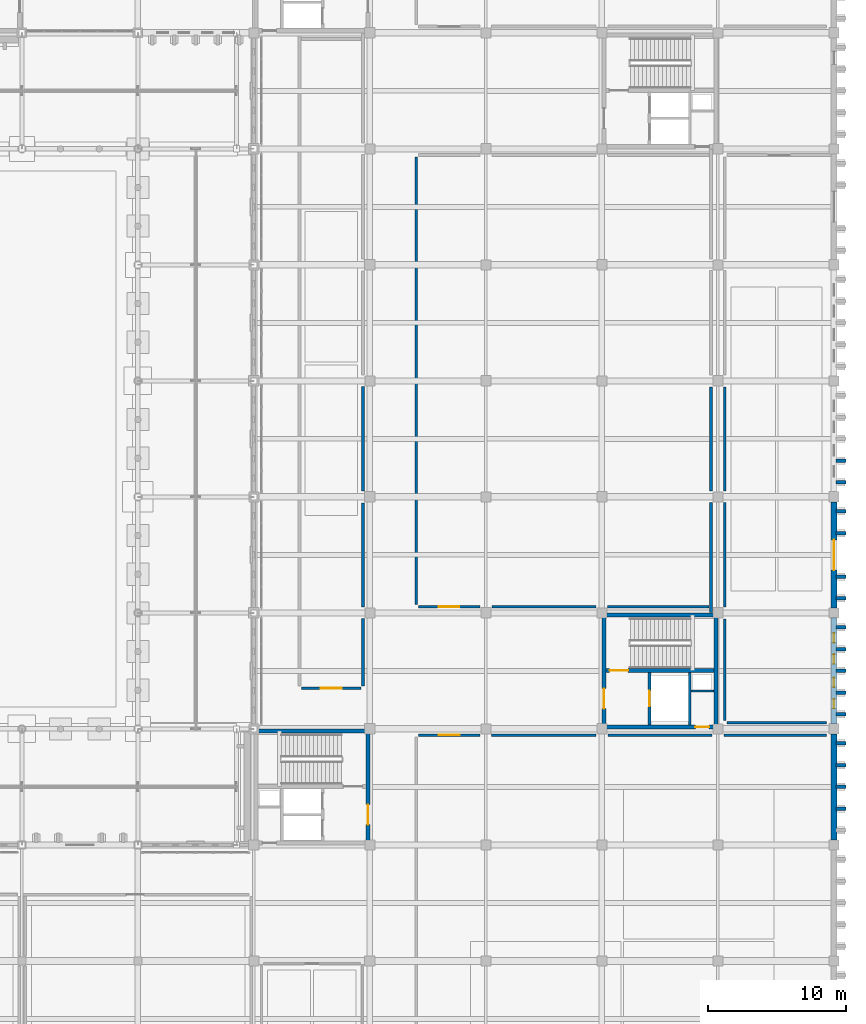
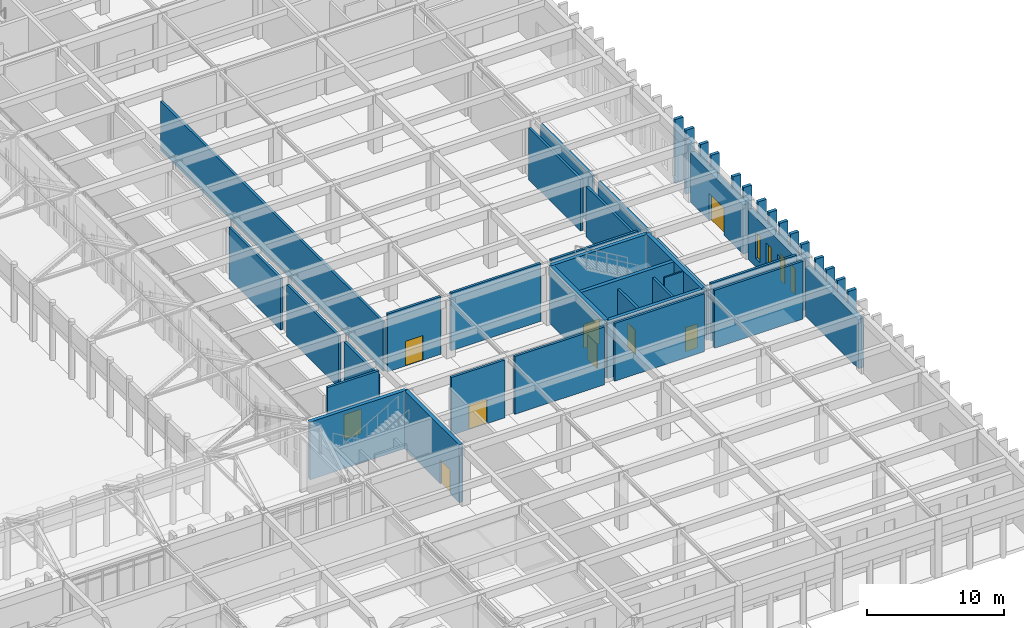
# One storey, part 125 of 143: 46 walls, 9 doors, 4 windows, 13 openings.
"""IFC4 building model written with IfcOpenShell, lengths in metres."""

from ifc_helpers import new_model, si_unit, direction, frame, frame_2d, origin, place, context, subcontext, project, spatial, rectangle, extrude, material, layer, layer_set, type_object, element, fill, save


model = new_model("IFC4")

# Units and contexts
model_context = context("Model", 3, precision=1e-05, world=origin(), true_north=direction((0.0, 1.0)))
body_context = subcontext(model_context, "Body", "Model", "MODEL_VIEW")
ifc_project = project(units=[si_unit("LENGTHUNIT", "METRE"), si_unit("AREAUNIT", "SQUARE_METRE"), si_unit("VOLUMEUNIT", "CUBIC_METRE"), si_unit("PLANEANGLEUNIT", "RADIAN"), si_unit("MASSUNIT", "GRAM", prefix="KILO")], contexts=[model_context])

# Site, building, storey
site_placement = place(None, origin())
site = spatial("IfcSite", under=ifc_project, at=site_placement, CompositionType="ELEMENT")
building_placement = place(site_placement, origin())
building = spatial("IfcBuilding", under=site, at=building_placement, Name="Kveldsbrygga Polytechnic", CompositionType="ELEMENT")
storey_placement = place(building_placement, origin())
storey = spatial("IfcBuildingStorey", under=building, at=storey_placement, Name="L00", CompositionType="ELEMENT", Elevation=0.0)

# Wall
ifc_material_1 = material(Name="Fired clay brick masonry M10", Category="masonry")
ifc_layer_1 = layer(ifc_material_1, 0.419921875)
ifc_layer_set_1 = layer_set([ifc_layer_1], Name="Fired clay brick masonry M10")
wall_type_1 = type_object("IfcWallType", Name="EW-BRICK-420", PredefinedType="SOLIDWALL", material=ifc_layer_set_1)
wall_1_placement = place(storey_placement, frame((168.0, 25.544921875, 0.0), z_axis=(0.0, 0.0, 1.0), x_axis=(0.0, 1.0, 0.0)))
element("IfcWall", 1, at=wall_1_placement, inside=storey, type_object=wall_type_1, Name="Exterior Brick Wall EW-L00-Y-20-03", PredefinedType="SOLIDWALL", context=body_context, shape_type="SweptSolid", body=[
    extrude(rectangle(XDim=7.695068359375, YDim=0.419921875, at=frame_2d((3.84765625, 0.0))), origin(), (0.0, 0.0, 1.0), 4.389892578125),
])

# Wall, openings, windows
wall_2_placement = place(storey_placement, frame((168.0, 33.9599609375, 0.0), z_axis=(0.0, 0.0, 1.0), x_axis=(0.0, 1.0, 0.0)))
wall_2 = element("IfcWall", 2, at=wall_2_placement, inside=storey, type_object=wall_type_1, Name="Exterior Brick Wall EW-L00-Y-20-04", PredefinedType="SOLIDWALL", context=body_context, shape_type="SweptSolid", body=[
    extrude(rectangle(XDim=7.695068359375, YDim=0.419921875, at=frame_2d((3.84765625, 0.0))), origin(), (0.0, 0.0, 1.0), 4.389892578125),
])
opening_1_placement = place(wall_2_placement, frame((1.1220703125, 0.0, 0.75)))
opening_1 = element("IfcOpeningElement", 3, at=opening_1_placement, cuts=wall_2, Name="Opening W-42", PredefinedType="OPENING", context=body_context, shape_type="SweptSolid", body=[
    extrude(rectangle(XDim=0.679931640625, YDim=2.300048828125, at=frame_2d((0.33984375, 1.14990234375))), frame((0.0, 0.219970703125, 0.0), z_axis=(0.0, -1.0, 0.0), x_axis=(1.0, 0.0, 0.0)), (0.0, 0.0, 1.0), 0.43994140625),
])
opening_2_placement = place(wall_2_placement, frame((2.6611328125, 0.0, 0.75)))
opening_2 = element("IfcOpeningElement", 4, at=opening_2_placement, cuts=wall_2, Name="Opening W-42", PredefinedType="OPENING", context=body_context, shape_type="SweptSolid", body=[
    extrude(rectangle(XDim=0.679931640625, YDim=2.300048828125, at=frame_2d((0.33984375, 1.14990234375))), frame((0.0, 0.219970703125, 0.0), z_axis=(0.0, -1.0, 0.0), x_axis=(1.0, 0.0, 0.0)), (0.0, 0.0, 1.0), 0.43994140625),
])
opening_3_placement = place(wall_2_placement, frame((4.35400390625, 0.0, 0.75)))
opening_3 = element("IfcOpeningElement", 5, at=opening_3_placement, cuts=wall_2, Name="Opening W-42", PredefinedType="OPENING", context=body_context, shape_type="SweptSolid", body=[
    extrude(rectangle(XDim=0.679931640625, YDim=2.300048828125, at=frame_2d((0.33984375, 1.14990234375))), frame((0.0, 0.219970703125, 0.0), z_axis=(0.0, -1.0, 0.0), x_axis=(1.0, 0.0, 0.0)), (0.0, 0.0, 1.0), 0.43994140625),
])
opening_4_placement = place(wall_2_placement, frame((5.89306640625, 0.0, 0.75)))
opening_4 = element("IfcOpeningElement", 6, at=opening_4_placement, cuts=wall_2, Name="Opening W-42", PredefinedType="OPENING", context=body_context, shape_type="SweptSolid", body=[
    extrude(rectangle(XDim=0.679931640625, YDim=2.300048828125, at=frame_2d((0.33984375, 1.14990234375))), frame((0.0, 0.219970703125, 0.0), z_axis=(0.0, -1.0, 0.0), x_axis=(1.0, 0.0, 0.0)), (0.0, 0.0, 1.0), 0.43994140625),
])
ifc_material_2 = material(Name="Insulated triple low-E glass", Category="glass")
window_type = type_object("IfcWindowType", Name="WN-LANC-068x230", PartitioningType="DOUBLE_PANEL_VERTICAL", PredefinedType="WINDOW", material=ifc_material_2)
window_1_placement = place(opening_1_placement, origin())
window_1 = element("IfcWindow", 7, at=window_1_placement, inside=storey, type_object=window_type, Name="Gothic Lancet Window WIN-L00-Y-20-04-1", OverallHeight=2.300048828125, OverallWidth=0.679931640625, PartitioningType="DOUBLE_PANEL_VERTICAL", PredefinedType="WINDOW", context=body_context, shape_type="SweptSolid", body=[
    extrude(rectangle(XDim=0.679931640625, YDim=2.300048828125, at=frame_2d((0.33984375, 1.14990234375))), frame((0.0, 0.030029296875, 0.0), z_axis=(0.0, -1.0, 0.0), x_axis=(1.0, 0.0, 0.0)), (0.0, 0.0, 1.0), 0.06005859375),
])
fill(opening_1, window_1)
window_2_placement = place(opening_2_placement, origin())
window_2 = element("IfcWindow", 8, at=window_2_placement, inside=storey, type_object=window_type, Name="Gothic Lancet Window WIN-L00-Y-20-04-2", OverallHeight=2.300048828125, OverallWidth=0.679931640625, PartitioningType="DOUBLE_PANEL_VERTICAL", PredefinedType="WINDOW", context=body_context, shape_type="SweptSolid", body=[
    extrude(rectangle(XDim=0.679931640625, YDim=2.300048828125, at=frame_2d((0.33984375, 1.14990234375))), frame((0.0, 0.030029296875, 0.0), z_axis=(0.0, -1.0, 0.0), x_axis=(1.0, 0.0, 0.0)), (0.0, 0.0, 1.0), 0.06005859375),
])
fill(opening_2, window_2)
window_3_placement = place(opening_3_placement, origin())
window_3 = element("IfcWindow", 9, at=window_3_placement, inside=storey, type_object=window_type, Name="Gothic Lancet Window WIN-L00-Y-20-04-3", OverallHeight=2.300048828125, OverallWidth=0.679931640625, PartitioningType="DOUBLE_PANEL_VERTICAL", PredefinedType="WINDOW", context=body_context, shape_type="SweptSolid", body=[
    extrude(rectangle(XDim=0.679931640625, YDim=2.300048828125, at=frame_2d((0.33984375, 1.14990234375))), frame((0.0, 0.030029296875, 0.0), z_axis=(0.0, -1.0, 0.0), x_axis=(1.0, 0.0, 0.0)), (0.0, 0.0, 1.0), 0.06005859375),
])
fill(opening_3, window_3)
window_4_placement = place(opening_4_placement, origin())
window_4 = element("IfcWindow", 10, at=window_4_placement, inside=storey, type_object=window_type, Name="Gothic Lancet Window WIN-L00-Y-20-04-4", OverallHeight=2.300048828125, OverallWidth=0.679931640625, PartitioningType="DOUBLE_PANEL_VERTICAL", PredefinedType="WINDOW", context=body_context, shape_type="SweptSolid", body=[
    extrude(rectangle(XDim=0.679931640625, YDim=2.300048828125, at=frame_2d((0.33984375, 1.14990234375))), frame((0.0, 0.030029296875, 0.0), z_axis=(0.0, -1.0, 0.0), x_axis=(1.0, 0.0, 0.0)), (0.0, 0.0, 1.0), 0.06005859375),
])
fill(opening_4, window_4)

# Wall, opening, door
wall_3_placement = place(storey_placement, frame((168.0, 42.344970703125, 0.0), z_axis=(0.0, 0.0, 1.0), x_axis=(0.0, 1.0, 0.0)))
wall_3 = element("IfcWall", 11, at=wall_3_placement, inside=storey, type_object=wall_type_1, Name="Exterior Brick Wall EW-L00-Y-20-05", PredefinedType="SOLIDWALL", context=body_context, shape_type="SweptSolid", body=[
    extrude(rectangle(XDim=7.695068359375, YDim=0.419921875, at=frame_2d((3.84765625, 0.0))), origin(), (0.0, 0.0, 1.0), 4.389892578125),
])
opening_5_placement = place(wall_3_placement, frame((2.74755859375, 0.0, 0.0)))
opening_5 = element("IfcOpeningElement", 12, at=opening_5_placement, cuts=wall_3, Name="Opening ED-18", PredefinedType="OPENING", context=body_context, shape_type="SweptSolid", body=[
    extrude(rectangle(XDim=2.199951171875, YDim=2.39990234375, at=frame_2d((1.10009765625, 1.199951171875))), frame((0.0, 0.219970703125, 0.0), z_axis=(0.0, -1.0, 0.0), x_axis=(1.0, 0.0, 0.0)), (0.0, 0.0, 1.0), 0.43994140625),
])
ifc_material_3 = material(Name="Anodised aluminium AW-6060", Category="aluminium")
door_type_1 = type_object("IfcDoorType", Name="ED-MAIN-220x240", OperationType="DOUBLE_DOOR_SINGLE_SWING", PredefinedType="DOOR", material=ifc_material_3)
door_1_placement = place(opening_5_placement, origin())
door_1 = element("IfcDoor", 13, at=door_1_placement, inside=storey, type_object=door_type_1, Name="Pedestrian Exit Door ED-18", OperationType="DOUBLE_DOOR_SINGLE_SWING", OverallHeight=2.39990234375, OverallWidth=2.199951171875, PredefinedType="DOOR", context=body_context, shape_type="SweptSolid", body=[
    extrude(rectangle(XDim=2.199951171875, YDim=2.39990234375, at=frame_2d((1.10009765625, 1.199951171875))), frame((0.0, 0.02490234375, 0.0), z_axis=(0.0, -1.0, 0.0), x_axis=(1.0, 0.0, 0.0)), (0.0, 0.0, 1.0), 0.050048828125),
])
fill(opening_5, door_1)

# Walls
ifc_layer_2 = layer(ifc_material_1, 0.260009765625)
ifc_layer_set_2 = layer_set([ifc_layer_2], Name="Fired clay brick masonry M10")
wall_type_2 = type_object("IfcWallType", Name="EW-BUTT-260", PredefinedType="SOLIDWALL", material=ifc_layer_set_2)
for number, where, z_axis, x_axis, name in (
    (14, (168.1650390625, 27.820068359375, -0.25), (0.0, 0.0, 1.0), (1.0, 0.0, 0.0), "Gothic Brick Buttress Pier BUTT-L00-Y-20-03-2"),
    (15, (168.1650390625, 29.39990234375, -0.25), (0.0, 0.0, 1.0), (1.0, 0.0, 0.0), "Gothic Brick Buttress Pier BUTT-L00-Y-20-03-3"),
    (16, (168.1650390625, 30.97998046875, -0.25), (0.0, 0.0, 1.0), (1.0, 0.0, 0.0), "Gothic Brick Buttress Pier BUTT-L00-Y-20-03-4"),
    (17, (168.1650390625, 32.550048828125, -0.25), (0.0, 0.0, 1.0), (1.0, 0.0, 0.0), "Gothic Brick Buttress Pier BUTT-L00-Y-20-03-5"),
    (18, (168.1650390625, 34.64990234375, -0.25), (0.0, 0.0, 1.0), (1.0, 0.0, 0.0), "Gothic Brick Buttress Pier BUTT-L00-Y-20-04-1"),
    (19, (168.1650390625, 36.219970703125, -0.25), (0.0, 0.0, 1.0), (1.0, 0.0, 0.0), "Gothic Brick Buttress Pier BUTT-L00-Y-20-04-2"),
    (20, (168.1650390625, 37.800048828125, -0.25), (0.0, 0.0, 1.0), (1.0, 0.0, 0.0), "Gothic Brick Buttress Pier BUTT-L00-Y-20-04-3"),
    (21, (168.1650390625, 39.3798828125, -0.25), (0.0, 0.0, 1.0), (1.0, 0.0, 0.0), "Gothic Brick Buttress Pier BUTT-L00-Y-20-04-4"),
    (22, (168.1650390625, 40.949951171875, -0.25), (0.0, 0.0, 1.0), (1.0, 0.0, 0.0), "Gothic Brick Buttress Pier BUTT-L00-Y-20-04-5"),
    (23, (168.1650390625, 43.050048828125, -0.25), (0.0, 0.0, 1.0), (1.0, 0.0, 0.0), "Gothic Brick Buttress Pier BUTT-L00-Y-20-05-1"),
    (24, (168.1650390625, 44.6201171875, -0.25), (0.0, 0.0, 1.0), (1.0, 0.0, 0.0), "Gothic Brick Buttress Pier BUTT-L00-Y-20-05-2"),
    (25, (168.1650390625, 47.780029296875, -0.25), (0.0, 0.0, 1.0), (1.0, 0.0, 0.0), "Gothic Brick Buttress Pier BUTT-L00-Y-20-05-4"),
    (26, (168.1650390625, 49.35009765625, -0.25), (0.0, 0.0, 1.0), (1.0, 0.0, 0.0), "Gothic Brick Buttress Pier BUTT-L00-Y-20-05-5"),
    (27, (168.1650390625, 51.449951171875, -0.25), (0.0, 0.0, 1.0), (1.0, 0.0, 0.0), "Gothic Brick Buttress Pier BUTT-L00-Y-20-06-1"),
    (28, (168.1650390625, 53.02001953125, -0.25), (0.0, 0.0, 1.0), (1.0, 0.0, 0.0), "Gothic Brick Buttress Pier BUTT-L00-Y-20-06-2"),
):
    element("IfcWall", number, at=place(storey_placement, frame(where, z_axis=z_axis, x_axis=x_axis)), inside=storey, type_object=wall_type_2, Name=name, PredefinedType="SOLIDWALL", context=body_context, shape_type="SweptSolid", body=[
        extrude(rectangle(XDim=0.699951171875, YDim=0.260009765625, at=frame_2d((0.35009765625, 0.0))), origin(), (0.0, 0.0, 1.0), 5.68994140625),
    ])

# Wall, opening, door
ifc_layer_3 = layer(ifc_material_1, 0.199951171875)
ifc_layer_set_3 = layer_set([ifc_layer_3], Name="Fired clay brick masonry M10")
wall_type_3 = type_object("IfcWallType", Name="IW-LAB-200", PredefinedType="PARTITIONING", material=ifc_layer_set_3)
wall_4_placement = place(storey_placement, frame((137.89990234375, 33.14990234375, 0.0), z_axis=(0.0, 0.0, 1.0), x_axis=(1.0, 0.0, 0.0)))
wall_4 = element("IfcWall", 29, at=wall_4_placement, inside=storey, type_object=wall_type_3, Name="Partition Wall IW-SP-L00-LAB1-N1", PredefinedType="PARTITIONING", context=body_context, shape_type="SweptSolid", body=[
    extrude(rectangle(XDim=4.47998046875, YDim=0.199951171875, at=frame_2d((2.239990234375, 0.0))), origin(), (0.0, 0.0, 1.0), 5.139892578125),
])
opening_6_placement = place(wall_4_placement, frame((1.489990234375, 0.0, 0.0)))
opening_6 = element("IfcOpeningElement", 30, at=opening_6_placement, cuts=wall_4, Name="Opening ID-L00-034", PredefinedType="OPENING", context=body_context, shape_type="SweptSolid", body=[
    extrude(rectangle(XDim=1.5, YDim=2.199951171875, at=frame_2d((0.75, 1.10009765625))), frame((0.0, 0.10986328125, 0.0), z_axis=(0.0, -1.0, 0.0), x_axis=(1.0, 0.0, 0.0)), (0.0, 0.0, 1.0), 0.219970703125),
])
ifc_material_4 = material(Name="Acoustic oak timber", Category="wood")
door_type_2 = type_object("IfcDoorType", Name="ID-LAB-150x220", OperationType="DOUBLE_DOOR_SINGLE_SWING", PredefinedType="DOOR", material=ifc_material_4)
door_2_placement = place(opening_6_placement, origin())
door_2 = element("IfcDoor", 31, at=door_2_placement, inside=storey, type_object=door_type_2, Name="Interior Door ID-L00-034", OperationType="DOUBLE_DOOR_SINGLE_SWING", OverallHeight=2.199951171875, OverallWidth=1.5, PredefinedType="DOOR", context=body_context, shape_type="SweptSolid", body=[
    extrude(rectangle(XDim=1.5, YDim=2.199951171875, at=frame_2d((0.75, 1.10009765625))), frame((0.0, 0.02490234375, 0.0), z_axis=(0.0, -1.0, 0.0), x_axis=(1.0, 0.0, 0.0)), (0.0, 0.0, 1.0), 0.050048828125),
])
fill(opening_6, door_2)

# Walls
for number, where, z_axis, x_axis, name in (
    (32, (143.219970703125, 33.14990234375, 0.0), (0.0, 0.0, 1.0), (1.0, 0.0, 0.0), "Partition Wall IW-SP-L00-LAB1-N2"),
    (33, (151.635009765625, 33.14990234375, 0.0), (0.0, 0.0, 1.0), (1.0, 0.0, 0.0), "Partition Wall IW-SP-L00-LAB1-N3"),
):
    element("IfcWall", number, at=place(storey_placement, frame(where, z_axis=z_axis, x_axis=x_axis)), inside=storey, type_object=wall_type_3, Name=name, PredefinedType="PARTITIONING", context=body_context, shape_type="SweptSolid", body=[
        extrude(rectangle(XDim=7.544921875, YDim=0.199951171875, at=frame_2d((3.7724609375, 0.0))), origin(), (0.0, 0.0, 1.0), 5.139892578125),
    ])
wall_5_placement = place(storey_placement, frame((160.02001953125, 33.14990234375, 0.0), z_axis=(0.0, 0.0, 1.0), x_axis=(1.0, 0.0, 0.0)))
element("IfcWall", 34, at=wall_5_placement, inside=storey, type_object=wall_type_3, Name="Partition Wall IW-SP-L00-LAB1-N4", PredefinedType="PARTITIONING", context=body_context, shape_type="SweptSolid", body=[
    extrude(rectangle(XDim=7.429931640625, YDim=0.199951171875, at=frame_2d((3.71484375, 0.0))), origin(), (0.0, 0.0, 1.0), 5.139892578125),
])

# Wall, opening, door
wall_6_placement = place(storey_placement, frame((137.89990234375, 42.449951171875, 0.0), z_axis=(0.0, 0.0, 1.0), x_axis=(1.0, 0.0, 0.0)))
wall_6 = element("IfcWall", 35, at=wall_6_placement, inside=storey, type_object=wall_type_3, Name="Partition Wall IW-SP-L00-LAB2A-S1", PredefinedType="PARTITIONING", context=body_context, shape_type="SweptSolid", body=[
    extrude(rectangle(XDim=4.465087890625, YDim=0.199951171875, at=frame_2d((2.232421875, 0.0))), origin(), (0.0, 0.0, 1.0), 5.139892578125),
])
opening_7_placement = place(wall_6_placement, frame((1.482421875, 0.0, 0.0)))
opening_7 = element("IfcOpeningElement", 36, at=opening_7_placement, cuts=wall_6, Name="Opening ID-L00-035", PredefinedType="OPENING", context=body_context, shape_type="SweptSolid", body=[
    extrude(rectangle(XDim=1.5, YDim=2.199951171875, at=frame_2d((0.75, 1.10009765625))), frame((0.0, 0.10986328125, 0.0), z_axis=(0.0, -1.0, 0.0), x_axis=(1.0, 0.0, 0.0)), (0.0, 0.0, 1.0), 0.219970703125),
])
door_3_placement = place(opening_7_placement, origin())
door_3 = element("IfcDoor", 37, at=door_3_placement, inside=storey, type_object=door_type_2, Name="Interior Door ID-L00-035", OperationType="DOUBLE_DOOR_SINGLE_SWING", OverallHeight=2.199951171875, OverallWidth=1.5, PredefinedType="DOOR", context=body_context, shape_type="SweptSolid", body=[
    extrude(rectangle(XDim=1.5, YDim=2.199951171875, at=frame_2d((0.75, 1.10009765625))), frame((0.0, 0.02490234375, 0.0), z_axis=(0.0, -1.0, 0.0), x_axis=(1.0, 0.0, 0.0)), (0.0, 0.0, 1.0), 0.050048828125),
])
fill(opening_7, door_3)

# Walls
wall_7_placement = place(storey_placement, frame((143.235107421875, 42.449951171875, 0.0), z_axis=(0.0, 0.0, 1.0), x_axis=(1.0, 0.0, 0.0)))
element("IfcWall", 38, at=wall_7_placement, inside=storey, type_object=wall_type_3, Name="Partition Wall IW-SP-L00-LAB2A-S2", PredefinedType="PARTITIONING", context=body_context, shape_type="SweptSolid", body=[
    extrude(rectangle(XDim=7.544921875, YDim=0.199951171875, at=frame_2d((3.7724609375, 0.0))), origin(), (0.0, 0.0, 1.0), 5.139892578125),
])
wall_8_placement = place(storey_placement, frame((151.6201171875, 42.449951171875, 0.0), z_axis=(0.0, 0.0, 1.0), x_axis=(1.0, 0.0, 0.0)))
element("IfcWall", 39, at=wall_8_placement, inside=storey, type_object=wall_type_3, Name="Partition Wall IW-SP-L00-LAB2A-S3", PredefinedType="PARTITIONING", context=body_context, shape_type="SweptSolid", body=[
    extrude(rectangle(XDim=7.329833984375, YDim=0.199951171875, at=frame_2d((3.6650390625, 0.0))), origin(), (0.0, 0.0, 1.0), 5.139892578125),
])
wall_9_placement = place(storey_placement, frame((137.75, 42.60009765625, 0.0), z_axis=(0.0, 0.0, 1.0), x_axis=(0.0, 1.0, 0.0)))
element("IfcWall", 40, at=wall_9_placement, inside=storey, type_object=wall_type_3, Name="Partition Wall IW-SP-L00-LAB2A-W1", PredefinedType="PARTITIONING", context=body_context, shape_type="SweptSolid", body=[
    extrude(rectangle(XDim=32.39990234375, YDim=0.199951171875, at=frame_2d((16.199951171875, 0.0))), origin(), (0.0, 0.0, 1.0), 4.360107421875),
])
wall_10_placement = place(storey_placement, frame((159.10009765625, 42.030029296875, 0.0), z_axis=(0.0, 0.0, 1.0), x_axis=(0.0, 1.0, 0.0)))
element("IfcWall", 41, at=wall_10_placement, inside=storey, type_object=wall_type_3, Name="Partition Wall IW-SP-L00-LAB2A-E1", PredefinedType="PARTITIONING", context=body_context, shape_type="SweptSolid", body=[
    extrude(rectangle(XDim=7.949951171875, YDim=0.199951171875, at=frame_2d((3.97509765625, 0.0))), origin(), (0.0, 0.0, 1.0), 4.4599609375),
])
wall_11_placement = place(storey_placement, frame((159.10009765625, 50.820068359375, 0.0), z_axis=(0.0, 0.0, 1.0), x_axis=(0.0, 1.0, 0.0)))
element("IfcWall", 42, at=wall_11_placement, inside=storey, type_object=wall_type_3, Name="Partition Wall IW-SP-L00-LAB2A-E2", PredefinedType="PARTITIONING", context=body_context, shape_type="SweptSolid", body=[
    extrude(rectangle(XDim=7.544921875, YDim=0.199951171875, at=frame_2d((3.7724609375, 0.0))), origin(), (0.0, 0.0, 1.0), 4.590087890625),
])
wall_12_placement = place(storey_placement, frame((160.25, 34.050048828125, 0.0), z_axis=(0.0, 0.0, 1.0), x_axis=(1.0, 0.0, 0.0)))
element("IfcWall", 43, at=wall_12_placement, inside=storey, type_object=wall_type_3, Name="Partition Wall IW-SP-L00-LAB2-S1", PredefinedType="PARTITIONING", context=body_context, shape_type="SweptSolid", body=[
    extrude(rectangle(XDim=7.199951171875, YDim=0.199951171875, at=frame_2d((3.60009765625, 0.0))), origin(), (0.0, 0.0, 1.0), 5.139892578125),
])
wall_13_placement = place(storey_placement, frame((160.10009765625, 34.199951171875, 0.0), z_axis=(0.0, 0.0, 1.0), x_axis=(0.0, 1.0, 0.0)))
element("IfcWall", 44, at=wall_13_placement, inside=storey, type_object=wall_type_3, Name="Partition Wall IW-SP-L00-LAB2-W1", PredefinedType="PARTITIONING", context=body_context, shape_type="SweptSolid", body=[
    extrude(rectangle(XDim=7.364990234375, YDim=0.199951171875, at=frame_2d((3.6826171875, 0.0))), origin(), (0.0, 0.0, 1.0), 4.580078125),
])
wall_14_placement = place(storey_placement, frame((160.10009765625, 42.43505859375, 0.0), z_axis=(0.0, 0.0, 1.0), x_axis=(0.0, 1.0, 0.0)))
element("IfcWall", 45, at=wall_14_placement, inside=storey, type_object=wall_type_3, Name="Partition Wall IW-SP-L00-LAB2-W2", PredefinedType="PARTITIONING", context=body_context, shape_type="SweptSolid", body=[
    extrude(rectangle(XDim=7.544921875, YDim=0.199951171875, at=frame_2d((3.7724609375, 0.0))), origin(), (0.0, 0.0, 1.0), 4.590087890625),
])
wall_15_placement = place(storey_placement, frame((160.10009765625, 50.820068359375, 0.0), z_axis=(0.0, 0.0, 1.0), x_axis=(0.0, 1.0, 0.0)))
element("IfcWall", 46, at=wall_15_placement, inside=storey, type_object=wall_type_3, Name="Partition Wall IW-SP-L00-LAB2-W3", PredefinedType="PARTITIONING", context=body_context, shape_type="SweptSolid", body=[
    extrude(rectangle(XDim=7.544921875, YDim=0.199951171875, at=frame_2d((3.7724609375, 0.0))), origin(), (0.0, 0.0, 1.0), 4.580078125),
])

# Wall, opening, door
wall_16_placement = place(storey_placement, frame((129.449951171875, 36.550048828125, 0.0), z_axis=(0.0, 0.0, 1.0), x_axis=(1.0, 0.0, 0.0)))
wall_16 = element("IfcWall", 47, at=wall_16_placement, inside=storey, type_object=wall_type_3, Name="Partition Wall IW-SP-L00-LAB3-S1", PredefinedType="PARTITIONING", context=body_context, shape_type="SweptSolid", body=[
    extrude(rectangle(XDim=4.300048828125, YDim=0.199951171875, at=frame_2d((2.14990234375, 0.0))), origin(), (0.0, 0.0, 1.0), 5.139892578125),
])
opening_8_placement = place(wall_16_placement, frame((1.39990234375, 0.0, 0.0)))
opening_8 = element("IfcOpeningElement", 48, at=opening_8_placement, cuts=wall_16, Name="Opening ID-L00-037", PredefinedType="OPENING", context=body_context, shape_type="SweptSolid", body=[
    extrude(rectangle(XDim=1.5, YDim=2.199951171875, at=frame_2d((0.75, 1.10009765625))), frame((0.0, 0.10986328125, 0.0), z_axis=(0.0, -1.0, 0.0), x_axis=(1.0, 0.0, 0.0)), (0.0, 0.0, 1.0), 0.219970703125),
])
door_4_placement = place(opening_8_placement, origin())
door_4 = element("IfcDoor", 49, at=door_4_placement, inside=storey, type_object=door_type_2, Name="Interior Door ID-L00-037", OperationType="DOUBLE_DOOR_SINGLE_SWING", OverallHeight=2.199951171875, OverallWidth=1.5, PredefinedType="DOOR", context=body_context, shape_type="SweptSolid", body=[
    extrude(rectangle(XDim=1.5, YDim=2.199951171875, at=frame_2d((0.75, 1.10009765625))), frame((0.0, 0.02490234375, 0.0), z_axis=(0.0, -1.0, 0.0), x_axis=(1.0, 0.0, 0.0)), (0.0, 0.0, 1.0), 0.050048828125),
])
fill(opening_8, door_4)

# Walls
wall_17_placement = place(storey_placement, frame((133.89990234375, 36.699951171875, 0.0), z_axis=(0.0, 0.0, 1.0), x_axis=(0.0, 1.0, 0.0)))
element("IfcWall", 50, at=wall_17_placement, inside=storey, type_object=wall_type_3, Name="Partition Wall IW-SP-L00-LAB3-E1", PredefinedType="PARTITIONING", context=body_context, shape_type="SweptSolid", body=[
    extrude(rectangle(XDim=4.880126953125, YDim=0.199951171875, at=frame_2d((2.43994140625, 0.0))), origin(), (0.0, 0.0, 1.0), 4.580078125),
])
wall_18_placement = place(storey_placement, frame((133.89990234375, 42.419921875, 0.0), z_axis=(0.0, 0.0, 1.0), x_axis=(0.0, 1.0, 0.0)))
element("IfcWall", 51, at=wall_18_placement, inside=storey, type_object=wall_type_3, Name="Partition Wall IW-SP-L00-LAB3-E2", PredefinedType="PARTITIONING", context=body_context, shape_type="SweptSolid", body=[
    extrude(rectangle(XDim=7.545166015625, YDim=0.199951171875, at=frame_2d((3.7724609375, 0.0))), origin(), (0.0, 0.0, 1.0), 4.590087890625),
])
wall_19_placement = place(storey_placement, frame((133.89990234375, 50.8349609375, 0.0), z_axis=(0.0, 0.0, 1.0), x_axis=(0.0, 1.0, 0.0)))
element("IfcWall", 52, at=wall_19_placement, inside=storey, type_object=wall_type_3, Name="Partition Wall IW-SP-L00-LAB3-E3", PredefinedType="PARTITIONING", context=body_context, shape_type="SweptSolid", body=[
    extrude(rectangle(XDim=7.544921875, YDim=0.199951171875, at=frame_2d((3.7724609375, 0.0))), origin(), (0.0, 0.0, 1.0), 4.580078125),
])
ifc_material_5 = material(Name="Moisture-resistant masonry M10", Category="masonry")
ifc_layer_4 = layer(ifc_material_5, 0.1298828125)
ifc_layer_set_4 = layer_set([ifc_layer_4], Name="Moisture-resistant masonry M10")
wall_type_4 = type_object("IfcWallType", Name="IW-SAN-130", PredefinedType="PARTITIONING", material=ifc_layer_set_4)
wall_20_placement = place(storey_placement, frame((157.659912109375, 36.340087890625, 0.0), z_axis=(0.0, 0.0, 1.0), x_axis=(1.0, 0.0, 0.0)))
element("IfcWall", 53, at=wall_20_placement, inside=storey, type_object=wall_type_4, Name="Core AWC Divider C3-L00-W-RSR", PredefinedType="PARTITIONING", context=body_context, shape_type="SweptSolid", body=[
    extrude(rectangle(XDim=1.6201171875, YDim=0.1298828125, at=frame_2d((0.81005859375, 0.0))), origin(), (0.0, 0.0, 1.0), 5.139892578125),
])
ifc_material_6 = material(Name="Concrete C45/55", Category="concrete")
ifc_layer_5 = layer(ifc_material_6, 0.300048828125)
ifc_layer_set_5 = layer_set([ifc_layer_5], Name="Concrete C45/55")
wall_type_5 = type_object("IfcWallType", Name="WL-CORE-300", PredefinedType="SHEAR", material=ifc_layer_set_5)
wall_21_placement = place(storey_placement, frame((126.14990234375, 33.449951171875, 0.0), z_axis=(0.0, 0.0, 1.0), x_axis=(1.0, 0.0, 0.0)))
element("IfcWall", 54, at=wall_21_placement, inside=storey, type_object=wall_type_5, Name="Core C1 Shear Wall C1-L00-SW-N", PredefinedType="SHEAR", context=body_context, shape_type="SweptSolid", body=[
    extrude(rectangle(XDim=8.10009765625, YDim=0.300048828125, at=frame_2d((4.050048828125, 0.0))), origin(), (0.0, 0.0, 1.0), 5.139892578125),
])

# Wall, opening, door
wall_22_placement = place(storey_placement, frame((134.25, 25.35009765625, 0.0), z_axis=(0.0, 0.0, 1.0), x_axis=(0.0, 1.0, 0.0)))
wall_22 = element("IfcWall", 55, at=wall_22_placement, inside=storey, type_object=wall_type_5, Name="Core C1 Shear Wall C1-L00-SW-E", PredefinedType="SHEAR", context=body_context, shape_type="SweptSolid", body=[
    extrude(rectangle(XDim=8.099853515625, YDim=0.300048828125, at=frame_2d((4.0498046875, 0.0))), origin(), (0.0, 0.0, 1.0), 5.139892578125),
])
opening_9_placement = place(wall_22_placement, frame((1.324951171875, 0.0, 0.0)))
opening_9 = element("IfcOpeningElement", 56, at=opening_9_placement, cuts=wall_22, Name="Opening FD-C1-L00-LOB", PredefinedType="OPENING", context=body_context, shape_type="SweptSolid", body=[
    extrude(rectangle(XDim=1.449951171875, YDim=2.14990234375, at=frame_2d((0.72509765625, 1.074951171875))), frame((0.0, 0.16015625, 0.0), z_axis=(0.0, -1.0, 0.0), x_axis=(1.0, 0.0, 0.0)), (0.0, 0.0, 1.0), 0.320068359375),
])
ifc_material_7 = material(Name="Powder-coated galvanised steel", Category="steel")
door_type_3 = type_object("IfcDoorType", Name="ID-LOBBY-145x215", OperationType="DOUBLE_DOOR_SINGLE_SWING", PredefinedType="DOOR", material=ifc_material_7)
door_5_placement = place(opening_9_placement, origin())
door_5 = element("IfcDoor", 57, at=door_5_placement, inside=storey, type_object=door_type_3, Name="Core Lobby Fire Door FD-C1-L00-LOB", OperationType="DOUBLE_DOOR_SINGLE_SWING", OverallHeight=2.14990234375, OverallWidth=1.449951171875, PredefinedType="DOOR", context=body_context, shape_type="SweptSolid", body=[
    extrude(rectangle(XDim=1.449951171875, YDim=2.14990234375, at=frame_2d((0.72509765625, 1.074951171875))), frame((0.0, 0.02490234375, 0.0), z_axis=(0.0, -1.0, 0.0), x_axis=(1.0, 0.0, 0.0)), (0.0, 0.0, 1.0), 0.050048828125),
])
fill(opening_9, door_5)

wall_23_placement = place(storey_placement, frame((151.35009765625, 33.75, 0.0), z_axis=(0.0, 0.0, 1.0), x_axis=(1.0, 0.0, 0.0)))
wall_23 = element("IfcWall", 58, at=wall_23_placement, inside=storey, type_object=wall_type_5, Name="Core C3 Shear Wall C3-L00-SW-S", PredefinedType="SHEAR", context=body_context, shape_type="SweptSolid", body=[
    extrude(rectangle(XDim=8.099853515625, YDim=0.300048828125, at=frame_2d((4.0498046875, 0.0))), origin(), (0.0, 0.0, 1.0), 5.139892578125),
])
opening_10_placement = place(wall_23_placement, frame((6.614990234375, 0.0, 0.0)))
opening_10 = element("IfcOpeningElement", 59, at=opening_10_placement, cuts=wall_23, Name="Opening ID-C3-L00-AWC", PredefinedType="OPENING", context=body_context, shape_type="SweptSolid", body=[
    extrude(rectangle(XDim=1.0, YDim=2.14990234375, at=frame_2d((0.5, 1.074951171875))), frame((0.0, 0.16015625, 0.0), z_axis=(0.0, -1.0, 0.0), x_axis=(1.0, 0.0, 0.0)), (0.0, 0.0, 1.0), 0.320068359375),
])
door_type_4 = type_object("IfcDoorType", Name="ID-AWC-100x215", OperationType="NOTDEFINED", PredefinedType="DOOR", material=ifc_material_4)
door_6_placement = place(opening_10_placement, origin())
door_6 = element("IfcDoor", 60, at=door_6_placement, inside=storey, type_object=door_type_4, Name="Accessible WC Door ID-C3-L00-AWC", OperationType="SINGLE_SWING_RIGHT", OverallHeight=2.14990234375, OverallWidth=1.0, PredefinedType="DOOR", context=body_context, shape_type="SweptSolid", body=[
    extrude(rectangle(XDim=1.0, YDim=2.14990234375, at=frame_2d((0.5, 1.074951171875))), frame((0.0, 0.02490234375, 0.0), z_axis=(0.0, -1.0, 0.0), x_axis=(1.0, 0.0, 0.0)), (0.0, 0.0, 1.0), 0.050048828125),
])
fill(opening_10, door_6)

# Wall
wall_24_placement = place(storey_placement, frame((151.35009765625, 41.85009765625, 0.0), z_axis=(0.0, 0.0, 1.0), x_axis=(1.0, 0.0, 0.0)))
element("IfcWall", 61, at=wall_24_placement, inside=storey, type_object=wall_type_5, Name="Core C3 Shear Wall C3-L00-SW-N", PredefinedType="SHEAR", context=body_context, shape_type="SweptSolid", body=[
    extrude(rectangle(XDim=8.099853515625, YDim=0.300048828125, at=frame_2d((4.0498046875, 0.0))), origin(), (0.0, 0.0, 1.0), 5.139892578125),
])

# Wall, opening, door
wall_25_placement = place(storey_placement, frame((151.35009765625, 33.75, 0.0), z_axis=(0.0, 0.0, 1.0), x_axis=(0.0, 1.0, 0.0)))
wall_25 = element("IfcWall", 62, at=wall_25_placement, inside=storey, type_object=wall_type_5, Name="Core C3 Shear Wall C3-L00-SW-W", PredefinedType="SHEAR", context=body_context, shape_type="SweptSolid", body=[
    extrude(rectangle(XDim=8.10009765625, YDim=0.300048828125, at=frame_2d((4.050048828125, 0.0))), origin(), (0.0, 0.0, 1.0), 5.139892578125),
])
opening_11_placement = place(wall_25_placement, frame((1.324951171875, 0.0, 0.0)))
opening_11 = element("IfcOpeningElement", 63, at=opening_11_placement, cuts=wall_25, Name="Opening FD-C3-L00-LOB", PredefinedType="OPENING", context=body_context, shape_type="SweptSolid", body=[
    extrude(rectangle(XDim=1.449951171875, YDim=2.14990234375, at=frame_2d((0.72509765625, 1.074951171875))), frame((0.0, 0.16015625, 0.0), z_axis=(0.0, -1.0, 0.0), x_axis=(1.0, 0.0, 0.0)), (0.0, 0.0, 1.0), 0.320068359375),
])
door_7_placement = place(opening_11_placement, origin())
door_7 = element("IfcDoor", 64, at=door_7_placement, inside=storey, type_object=door_type_3, Name="Core Lobby Fire Door FD-C3-L00-LOB", OperationType="DOUBLE_DOOR_SINGLE_SWING", OverallHeight=2.14990234375, OverallWidth=1.449951171875, PredefinedType="DOOR", context=body_context, shape_type="SweptSolid", body=[
    extrude(rectangle(XDim=1.449951171875, YDim=2.14990234375, at=frame_2d((0.72509765625, 1.074951171875))), frame((0.0, 0.02490234375, 0.0), z_axis=(0.0, -1.0, 0.0), x_axis=(1.0, 0.0, 0.0)), (0.0, 0.0, 1.0), 0.050048828125),
])
fill(opening_11, door_7)

# Wall
wall_26_placement = place(storey_placement, frame((159.449951171875, 33.75, 0.0), z_axis=(0.0, 0.0, 1.0), x_axis=(0.0, 1.0, 0.0)))
element("IfcWall", 65, at=wall_26_placement, inside=storey, type_object=wall_type_5, Name="Core C3 Shear Wall C3-L00-SW-E", PredefinedType="SHEAR", context=body_context, shape_type="SweptSolid", body=[
    extrude(rectangle(XDim=8.10009765625, YDim=0.300048828125, at=frame_2d((4.050048828125, 0.0))), origin(), (0.0, 0.0, 1.0), 5.139892578125),
])

# Wall, opening, door
wall_27_placement = place(storey_placement, frame((151.5, 37.830078125, 0.0), z_axis=(0.0, 0.0, 1.0), x_axis=(1.0, 0.0, 0.0)))
wall_27 = element("IfcWall", 66, at=wall_27_placement, inside=storey, type_object=wall_type_5, Name="Core C3 Shear Wall C3-L00-W-DIV", PredefinedType="SHEAR", context=body_context, shape_type="SweptSolid", body=[
    extrude(rectangle(XDim=7.800048828125, YDim=0.300048828125, at=frame_2d((3.89990234375, 0.0))), origin(), (0.0, 0.0, 1.0), 5.139892578125),
])
opening_12_placement = place(wall_27_placement, frame((0.25, 0.0, 0.0)))
opening_12 = element("IfcOpeningElement", 67, at=opening_12_placement, cuts=wall_27, Name="Opening FD-C3-L00-ST", PredefinedType="OPENING", context=body_context, shape_type="SweptSolid", body=[
    extrude(rectangle(XDim=1.35009765625, YDim=2.14990234375, at=frame_2d((0.675048828125, 1.074951171875))), frame((0.0, 0.16015625, 0.0), z_axis=(0.0, -1.0, 0.0), x_axis=(1.0, 0.0, 0.0)), (0.0, 0.0, 1.0), 0.320068359375),
])
door_type_5 = type_object("IfcDoorType", Name="ID-STAIR-135x215", OperationType="NOTDEFINED", PredefinedType="DOOR", material=ifc_material_7)
door_8_placement = place(opening_12_placement, origin())
door_8 = element("IfcDoor", 68, at=door_8_placement, inside=storey, type_object=door_type_5, Name="Stair Fire Door FD-C3-L00-ST", OperationType="SINGLE_SWING_LEFT", OverallHeight=2.14990234375, OverallWidth=1.35009765625, PredefinedType="DOOR", context=body_context, shape_type="SweptSolid", body=[
    extrude(rectangle(XDim=1.35009765625, YDim=2.14990234375, at=frame_2d((0.675048828125, 1.074951171875))), frame((0.0, 0.02490234375, 0.0), z_axis=(0.0, -1.0, 0.0), x_axis=(1.0, 0.0, 0.0)), (0.0, 0.0, 1.0), 0.050048828125),
])
fill(opening_12, door_8)

ifc_material_8 = material(Name="Concrete C35/45", Category="concrete")
ifc_layer_6 = layer(ifc_material_8, 0.199951171875)
ifc_layer_set_6 = layer_set([ifc_layer_6], Name="Concrete C35/45")
wall_type_6 = type_object("IfcWallType", Name="WL-SHFT-200", PredefinedType="SHEAR", material=ifc_layer_set_6)
wall_28_placement = place(storey_placement, frame((154.639892578125, 33.89990234375, 0.0), z_axis=(0.0, 0.0, 1.0), x_axis=(0.0, 1.0, 0.0)))
wall_28 = element("IfcWall", 69, at=wall_28_placement, inside=storey, type_object=wall_type_6, Name="Lift Front Wall C3-L00-W-LFR", PredefinedType="SHEAR", context=body_context, shape_type="SweptSolid", body=[
    extrude(rectangle(XDim=3.800048828125, YDim=0.199951171875, at=frame_2d((1.89990234375, 0.0))), origin(), (0.0, 0.0, 1.0), 4.360107421875),
])
opening_13_placement = place(wall_28_placement, frame((1.35009765625, 0.0, 0.0)))
opening_13 = element("IfcOpeningElement", 70, at=opening_13_placement, cuts=wall_28, Name="Opening LD-LP-3", PredefinedType="OPENING", context=body_context, shape_type="SweptSolid", body=[
    extrude(rectangle(XDim=1.10009765625, YDim=2.14990234375, at=frame_2d((0.550048828125, 1.074951171875))), frame((0.0, 0.10986328125, 0.0), z_axis=(0.0, -1.0, 0.0), x_axis=(1.0, 0.0, 0.0)), (0.0, 0.0, 1.0), 0.219970703125),
])
ifc_material_9 = material(Name="Brushed stainless steel EN 1.4401", Category="steel")
door_type_6 = type_object("IfcDoorType", Name="LD-PAX-110x215", OperationType="SLIDING_TO_LEFT", PredefinedType="DOOR", material=ifc_material_9)
door_9_placement = place(opening_13_placement, origin())
door_9 = element("IfcDoor", 71, at=door_9_placement, inside=storey, type_object=door_type_6, Name="Lift Landing Sliding Door LD-LP-3-L00", OperationType="SLIDING_TO_LEFT", OverallHeight=2.14990234375, OverallWidth=1.10009765625, PredefinedType="DOOR", context=body_context, shape_type="SweptSolid", body=[
    extrude(rectangle(XDim=1.10009765625, YDim=2.14990234375, at=frame_2d((0.550048828125, 1.074951171875))), frame((0.0, 0.02490234375, 0.0), z_axis=(0.0, -1.0, 0.0), x_axis=(1.0, 0.0, 0.0)), (0.0, 0.0, 1.0), 0.050048828125),
])
fill(opening_13, door_9)

# Wall
wall_29_placement = place(storey_placement, frame((157.56005859375, 33.89990234375, 0.0), z_axis=(0.0, 0.0, 1.0), x_axis=(0.0, 1.0, 0.0)))
element("IfcWall", 72, at=wall_29_placement, inside=storey, type_object=wall_type_6, Name="Lift Back Wall C3-L00-W-LBK", PredefinedType="SHEAR", context=body_context, shape_type="SweptSolid", body=[
    extrude(rectangle(XDim=3.800048828125, YDim=0.199951171875, at=frame_2d((1.89990234375, 0.0))), origin(), (0.0, 0.0, 1.0), 4.360107421875),
])

save(model, "model.ifc")
